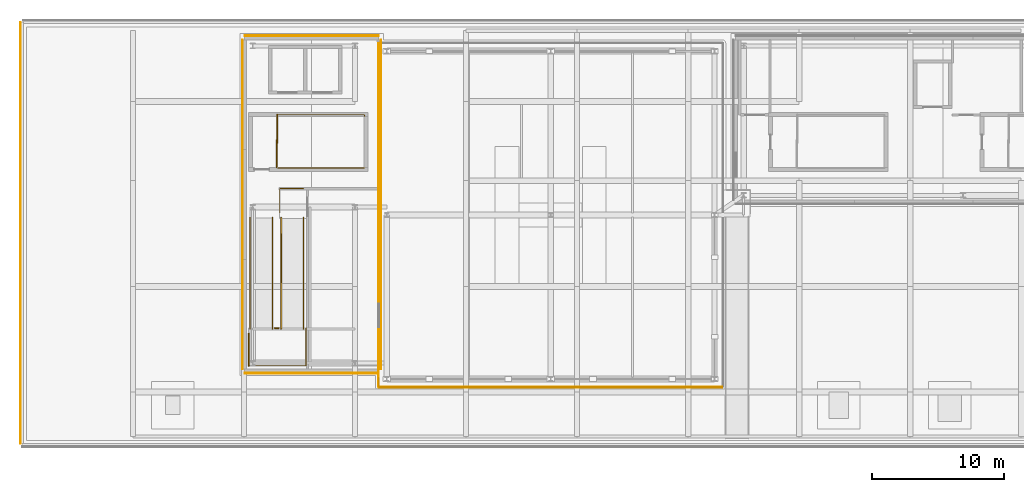
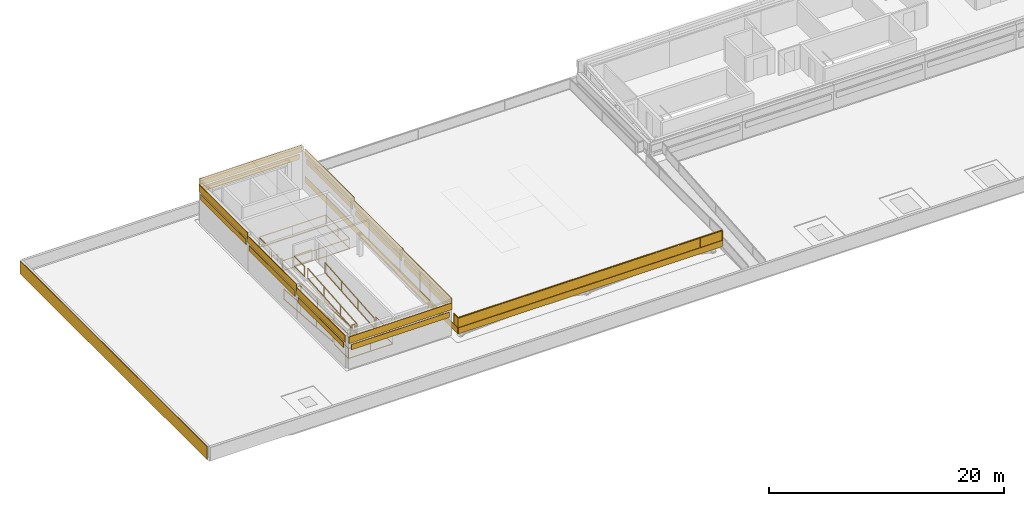
# One storey, part 12 of 14: 12 railings, 11 coverings, 8 shading devices.
"""IFC4 building model written with IfcOpenShell, lengths in metres."""

from ifc_helpers import new_model, si_unit, direction, frame, origin, origin_2d, place, context, subcontext, project, spatial, polyline, rectangle, outline, extrude, material, layer, layer_set, type_object, element, save


model = new_model("IFC4")

# Units and contexts
model_context = context("Model", 3, precision=1e-05, world=origin(), true_north=direction((0.0, 1.0)))
body_context = subcontext(model_context, "Body", "Model", "MODEL_VIEW")
ifc_project = project(units=[si_unit("LENGTHUNIT", "METRE"), si_unit("AREAUNIT", "SQUARE_METRE"), si_unit("VOLUMEUNIT", "CUBIC_METRE"), si_unit("PLANEANGLEUNIT", "RADIAN"), si_unit("MASSUNIT", "GRAM", prefix="KILO")], contexts=[model_context])

# Site, building, storey
site_placement = place(None, origin())
site = spatial("IfcSite", under=ifc_project, at=site_placement, CompositionType="ELEMENT")
building_placement = place(site_placement, origin())
building = spatial("IfcBuilding", under=site, at=building_placement, Name="Selatvlak General Hospital", CompositionType="ELEMENT")
storey_placement = place(building_placement, frame((0.0, 0.0, 39.449951171875)))
storey = spatial("IfcBuildingStorey", under=building, at=storey_placement, Name="RF", CompositionType="ELEMENT", Elevation=39.449951171875)

# Coverings
ifc_material_1 = material(Name="White Bauhaus fair-faced cladding panel")
ifc_layer_1 = layer(ifc_material_1, 0.054931640625, Name="White Bauhaus fair-faced cladding panel")
ifc_layer_set_1 = layer_set([ifc_layer_1], Name="White Bauhaus fair-faced cladding panel")
covering_type = type_object("IfcCoveringType", Name="COV-WHT1", PredefinedType="CLADDING", material=ifc_layer_set_1)
for number, where, z_axis, x_axis, name in (
    (1, (71.199951171875, 92.3701171875, 0.85009765625), (0.0, 0.0, 1.0), (1.0, 0.0, 0.0), "RF Helipad perimeter fascia 0585"),
    (2, (58.169921875, 105.39990234375, 0.85009765625), (0.0, 0.0, 1.0), (0.0, -1.0, 0.0), "RF Helipad perimeter fascia 0588"),
):
    element("IfcCovering", number, at=place(storey_placement, frame(where, z_axis=z_axis, x_axis=x_axis)), inside=storey, type_object=covering_type, Name=name, PredefinedType="CLADDING", context=body_context, shape_type="SweptSolid", body=[
        extrude(rectangle(XDim=26.0, YDim=0.054931640625, at=origin_2d()), origin(), (0.0, 0.0, 1.0), 0.6298828125),
    ])
covering_1_placement = place(storey_placement, frame((53.1201171875, 93.43505859375, 2.740234375), z_axis=(0.0, 0.0, 1.0), x_axis=(1.0, 0.0, 0.0)))
element("IfcCovering", 3, at=covering_1_placement, inside=storey, type_object=covering_type, Name="RF RF penthouse white crown fascia 0589", PredefinedType="CLADDING", context=body_context, shape_type="SweptSolid", body=[
    extrude(rectangle(XDim=10.139892578125, YDim=0.054931640625, at=origin_2d()), origin(), (0.0, 0.0, 1.0), 0.699951171875),
])
covering_2_placement = place(storey_placement, frame((58.35498046875, 97.89404296875, 2.97021484375), z_axis=(0.0, 0.0, 1.0), x_axis=(0.0, 1.0, 0.0)))
element("IfcCovering", 4, at=covering_2_placement, inside=storey, type_object=covering_type, Name="RF RF penthouse white crown fascia 0590", PredefinedType="CLADDING", context=body_context, shape_type="SweptSolid", body=[
    extrude(rectangle(XDim=8.304931640625, YDim=0.054931640625, at=origin_2d()), origin(), (0.0, 0.0, 1.0), 0.699951171875),
])
covering_3_placement = place(storey_placement, frame((58.35498046875, 106.199951171875, 3.06298828125), z_axis=(0.0, 0.0, 1.0), x_axis=(0.0, 1.0, 0.0)))
element("IfcCovering", 5, at=covering_3_placement, inside=storey, type_object=covering_type, Name="RF RF penthouse white crown fascia 0591", PredefinedType="CLADDING", context=body_context, shape_type="SweptSolid", body=[
    extrude(rectangle(XDim=8.305908203125, YDim=0.054931640625, at=origin_2d()), origin(), (0.0, 0.0, 1.0), 0.699951171875),
])
covering_4_placement = place(storey_placement, frame((58.35498046875, 114.5048828125, 3.376953125), z_axis=(0.0, 0.0, 1.0), x_axis=(0.0, 1.0, 0.0)))
element("IfcCovering", 6, at=covering_4_placement, inside=storey, type_object=covering_type, Name="RF RF penthouse white crown fascia 0592", PredefinedType="CLADDING", context=body_context, shape_type="SweptSolid", body=[
    extrude(rectangle(XDim=8.304931640625, YDim=0.054931640625, at=origin_2d()), origin(), (0.0, 0.0, 1.0), 0.699951171875),
])
covering_5_placement = place(storey_placement, frame((53.1201171875, 118.965087890625, 3.68994140625), z_axis=(0.0, 0.0, 1.0), x_axis=(-1.0, 0.0, 0.0)))
element("IfcCovering", 7, at=covering_5_placement, inside=storey, type_object=covering_type, Name="RF RF penthouse white crown fascia 0593", PredefinedType="CLADDING", context=body_context, shape_type="SweptSolid", body=[
    extrude(rectangle(XDim=10.139892578125, YDim=0.054931640625, at=origin_2d()), origin(), (0.0, 0.0, 1.0), 0.699951171875),
])
covering_6_placement = place(storey_placement, frame((47.885009765625, 114.5048828125, 3.376953125), z_axis=(0.0, 0.0, 1.0), x_axis=(0.0, -1.0, 0.0)))
element("IfcCovering", 8, at=covering_6_placement, inside=storey, type_object=covering_type, Name="RF RF penthouse white crown fascia 0594", PredefinedType="CLADDING", context=body_context, shape_type="SweptSolid", body=[
    extrude(rectangle(XDim=8.304931640625, YDim=0.054931640625, at=origin_2d()), origin(), (0.0, 0.0, 1.0), 0.699951171875),
])
covering_7_placement = place(storey_placement, frame((47.885009765625, 106.199951171875, 3.06298828125), z_axis=(0.0, 0.0, 1.0), x_axis=(0.0, -1.0, 0.0)))
element("IfcCovering", 9, at=covering_7_placement, inside=storey, type_object=covering_type, Name="RF RF penthouse white crown fascia 0595", PredefinedType="CLADDING", context=body_context, shape_type="SweptSolid", body=[
    extrude(rectangle(XDim=8.305908203125, YDim=0.054931640625, at=origin_2d()), origin(), (0.0, 0.0, 1.0), 0.699951171875),
])
covering_8_placement = place(storey_placement, frame((47.885009765625, 97.89404296875, 2.75), z_axis=(0.0, 0.0, 1.0), x_axis=(0.0, -1.0, 0.0)))
element("IfcCovering", 10, at=covering_8_placement, inside=storey, type_object=covering_type, Name="RF RF penthouse white crown fascia 0596", PredefinedType="CLADDING", context=body_context, shape_type="SweptSolid", body=[
    extrude(rectangle(XDim=8.304931640625, YDim=0.054931640625, at=origin_2d()), origin(), (0.0, 0.0, 1.0), 0.699951171875),
])
covering_9_placement = place(storey_placement, frame((31.074951171875, 104.05908203125, -0.169921875), z_axis=(0.0, 0.0, 1.0), x_axis=(0.0, 1.0, 0.0)))
element("IfcCovering", 11, at=covering_9_placement, inside=storey, type_object=covering_type, Name="RF Roof parapet white Bauhaus coping 0653", PredefinedType="CLADDING", context=body_context, shape_type="SweptSolid", body=[
    extrude(rectangle(XDim=31.882080078125, YDim=0.054931640625, at=origin_2d()), origin(), (0.0, 0.0, 1.0), 1.3701171875),
])

# Railings
ifc_material_2 = material(Name="Stainless steel 316 perimeter guardrail", Category="steel")
railing_type_1 = type_object("IfcRailingType", Name="RAIL-GRD1", PredefinedType="GUARDRAIL", material=ifc_material_2)
railing_1_placement = place(storey_placement, frame((58.199951171875, 93.1201171875, 1.400146484375)))
element("IfcRailing", 12, at=railing_1_placement, inside=storey, type_object=railing_type_1, Name="RF continuous terrace guardrail 0042", PredefinedType="GUARDRAIL", context=body_context, shape_type="SweptSolid", body=[
    extrude(rectangle(XDim=0.068115234375, YDim=0.068115234375, at=origin_2d()), frame((0.0, -0.0029296875, 1.11572265625), z_axis=(0.0, -1.0, 0.0), x_axis=(1.0, 0.0, 0.0)), (0.0, 0.0, 1.0), 0.71435546875),
    extrude(rectangle(XDim=0.068115234375, YDim=0.068115234375, at=origin_2d()), frame((0.0, -0.0029296875, 0.049072265625), z_axis=(0.0, -1.0, 0.0), x_axis=(1.0, 0.0, 0.0)), (0.0, 0.0, 1.0), 0.71435546875),
    extrude(outline(polyline([(0.0, 0.0), (0.708251953125, 0.0), (0.708251953125, 0.9716796875), (0.0, 0.9716796875), (0.0, 0.0)])), frame((0.01806640625, -0.006103515625, 0.0849609375), z_axis=(-1.0, 0.0, 0.0), x_axis=(0.0, -1.0, 0.0)), (0.0, 0.0, 1.0), 0.031982421875),
    extrude(rectangle(XDim=0.068115234375, YDim=0.068115234375, at=origin_2d()), frame((0.0029296875, -0.72021484375, 1.11572265625), z_axis=(1.0, 0.0, 0.0), x_axis=(0.0, 1.0, 0.0)), (0.0, 0.0, 1.0), 25.994140625),
    extrude(rectangle(XDim=0.068115234375, YDim=0.068115234375, at=origin_2d()), frame((0.0029296875, -0.72021484375, 0.049072265625), z_axis=(1.0, 0.0, 0.0), x_axis=(0.0, 1.0, 0.0)), (0.0, 0.0, 1.0), 25.994140625),
    extrude(outline(polyline([(0.0, 0.0), (25.988037109375, 0.0), (25.988037109375, 0.9716796875), (0.0, 0.9716796875), (0.0, 0.0)])), frame((0.006103515625, -0.7021484375, 0.0849609375), z_axis=(0.0, -1.0, 0.0), x_axis=(1.0, 0.0, 0.0)), (0.0, 0.0, 1.0), 0.031982421875),
    extrude(rectangle(XDim=0.055908203125, YDim=0.055908203125, at=origin_2d()), origin(), (0.0, 0.0, 1.0), 1.078857421875),
    extrude(rectangle(XDim=0.055908203125, YDim=0.055908203125, at=origin_2d()), frame((0.0, -0.72021484375, 0.0)), (0.0, 0.0, 1.0), 1.078857421875),
    extrude(rectangle(XDim=0.055908203125, YDim=0.055908203125, at=origin_2d()), frame((2.166748046875, -0.72021484375, 0.0)), (0.0, 0.0, 1.0), 1.078857421875),
    extrude(rectangle(XDim=0.055908203125, YDim=0.055908203125, at=origin_2d()), frame((4.333251953125, -0.72021484375, 0.0)), (0.0, 0.0, 1.0), 1.078857421875),
    extrude(rectangle(XDim=0.055908203125, YDim=0.055908203125, at=origin_2d()), frame((6.5, -0.72021484375, 0.0)), (0.0, 0.0, 1.0), 1.078857421875),
    extrude(rectangle(XDim=0.055908203125, YDim=0.055908203125, at=origin_2d()), frame((8.666748046875, -0.72021484375, 0.0)), (0.0, 0.0, 1.0), 1.078857421875),
    extrude(rectangle(XDim=0.055908203125, YDim=0.055908203125, at=origin_2d()), frame((10.833251953125, -0.72021484375, 0.0)), (0.0, 0.0, 1.0), 1.078857421875),
    extrude(rectangle(XDim=0.055908203125, YDim=0.055908203125, at=origin_2d()), frame((13.0, -0.72021484375, 0.0)), (0.0, 0.0, 1.0), 1.078857421875),
    extrude(rectangle(XDim=0.055908203125, YDim=0.055908203125, at=origin_2d()), frame((15.166748046875, -0.72021484375, 0.0)), (0.0, 0.0, 1.0), 1.078857421875),
    extrude(rectangle(XDim=0.055908203125, YDim=0.055908203125, at=origin_2d()), frame((17.333251953125, -0.72021484375, 0.0)), (0.0, 0.0, 1.0), 1.078857421875),
    extrude(rectangle(XDim=0.055908203125, YDim=0.055908203125, at=origin_2d()), frame((19.5, -0.72021484375, 0.0)), (0.0, 0.0, 1.0), 1.078857421875),
    extrude(rectangle(XDim=0.055908203125, YDim=0.055908203125, at=origin_2d()), frame((21.666748046875, -0.72021484375, 0.0)), (0.0, 0.0, 1.0), 1.078857421875),
    extrude(rectangle(XDim=0.055908203125, YDim=0.055908203125, at=origin_2d()), frame((23.833251953125, -0.72021484375, 0.0)), (0.0, 0.0, 1.0), 1.078857421875),
    extrude(rectangle(XDim=0.055908203125, YDim=0.055908203125, at=origin_2d()), frame((26.0, -0.72021484375, 0.0)), (0.0, 0.0, 1.0), 1.078857421875),
])
ifc_material_3 = material(Name="Stainless steel 316 stair guard", Category="steel")
railing_type_2 = type_object("IfcRailingType", Name="RAIL-STG", PredefinedType="GUARDRAIL", material=ifc_material_3)
railing_2_placement = place(storey_placement, frame((50.4599609375, 109.0, 0.0)))
element("IfcRailing", 13, at=railing_2_placement, inside=storey, type_object=railing_type_2, Name="RF ST-01 top well guard 1", PredefinedType="GUARDRAIL", context=body_context, shape_type="SweptSolid", body=[
    extrude(rectangle(XDim=0.068115234375, YDim=0.068115234375, at=origin_2d()), frame((0.0, 0.0029296875, 1.11572265625), z_axis=(0.0, 1.0, 0.0), x_axis=(-1.0, 0.0, 0.0)), (0.0, 0.0, 1.0), 2.07421875),
    extrude(rectangle(XDim=0.068115234375, YDim=0.068115234375, at=origin_2d()), frame((0.0, 0.0029296875, 0.049072265625), z_axis=(0.0, 1.0, 0.0), x_axis=(-1.0, 0.0, 0.0)), (0.0, 0.0, 1.0), 2.07421875),
    extrude(rectangle(XDim=0.055908203125, YDim=0.055908203125, at=origin_2d()), origin(), (0.0, 0.0, 1.0), 1.078857421875),
    extrude(rectangle(XDim=0.055908203125, YDim=0.055908203125, at=origin_2d()), frame((0.0, 2.080078125, 0.0)), (0.0, 0.0, 1.0), 1.078857421875),
])
railing_3_placement = place(storey_placement, frame((50.554931640625, 112.989990234375, 0.0)))
element("IfcRailing", 14, at=railing_3_placement, inside=storey, type_object=railing_type_2, Name="ST-01 top landing well guard on RF", PredefinedType="GUARDRAIL", context=body_context, shape_type="SweptSolid", body=[
    extrude(rectangle(XDim=0.068115234375, YDim=0.068115234375, at=origin_2d()), frame((0.0029296875, 0.0, 1.0859375), z_axis=(1.0, 0.0, 0.0), x_axis=(0.0, 1.0, 0.0)), (0.0, 0.0, 1.0), 6.539306640625),
    extrude(rectangle(XDim=0.068115234375, YDim=0.068115234375, at=origin_2d()), frame((0.0029296875, 0.0, 0.049072265625), z_axis=(1.0, 0.0, 0.0), x_axis=(0.0, 1.0, 0.0)), (0.0, 0.0, 1.0), 6.539306640625),
    extrude(rectangle(XDim=0.068115234375, YDim=0.068115234375, at=origin_2d()), frame((6.545166015625, -0.0029296875, 1.0859375), z_axis=(0.0, -1.0, 0.0), x_axis=(1.0, 0.0, 0.0)), (0.0, 0.0, 1.0), 4.0341796875),
    extrude(rectangle(XDim=0.068115234375, YDim=0.068115234375, at=origin_2d()), frame((6.545166015625, -0.0029296875, 0.049072265625), z_axis=(0.0, -1.0, 0.0), x_axis=(1.0, 0.0, 0.0)), (0.0, 0.0, 1.0), 4.0341796875),
    extrude(rectangle(XDim=0.068115234375, YDim=0.068115234375, at=origin_2d()), frame((6.542236328125, -4.0400390625, 1.0859375), z_axis=(-1.0, 0.0, 0.0), x_axis=(0.0, -1.0, 0.0)), (0.0, 0.0, 1.0), 6.539306640625),
    extrude(rectangle(XDim=0.068115234375, YDim=0.068115234375, at=origin_2d()), frame((6.542236328125, -4.0400390625, 0.049072265625), z_axis=(-1.0, 0.0, 0.0), x_axis=(0.0, -1.0, 0.0)), (0.0, 0.0, 1.0), 6.539306640625),
    extrude(rectangle(XDim=0.055908203125, YDim=0.055908203125, at=origin_2d()), origin(), (0.0, 0.0, 1.0), 1.049072265625),
    extrude(rectangle(XDim=0.055908203125, YDim=0.055908203125, at=origin_2d()), frame((3.2724609375, 0.0, 0.0)), (0.0, 0.0, 1.0), 1.049072265625),
    extrude(rectangle(XDim=0.055908203125, YDim=0.055908203125, at=origin_2d()), frame((6.545166015625, 0.0, 0.0)), (0.0, 0.0, 1.0), 1.049072265625),
    extrude(rectangle(XDim=0.055908203125, YDim=0.055908203125, at=origin_2d()), frame((6.545166015625, -2.02001953125, 0.0)), (0.0, 0.0, 1.0), 1.049072265625),
    extrude(rectangle(XDim=0.055908203125, YDim=0.055908203125, at=origin_2d()), frame((6.545166015625, -4.0400390625, 0.0)), (0.0, 0.0, 1.0), 1.049072265625),
    extrude(rectangle(XDim=0.055908203125, YDim=0.055908203125, at=origin_2d()), frame((3.2724609375, -4.0400390625, 0.0)), (0.0, 0.0, 1.0), 1.049072265625),
    extrude(rectangle(XDim=0.055908203125, YDim=0.055908203125, at=origin_2d()), frame((0.0, -4.0400390625, 0.0)), (0.0, 0.0, 1.0), 1.049072265625),
])
railing_4_placement = place(storey_placement, frame((50.5048828125, 110.860107421875, 0.0)))
element("IfcRailing", 15, at=railing_4_placement, inside=storey, type_object=railing_type_2, Name="ST-01 top landing west slot guard on RF", PredefinedType="GUARDRAIL", context=body_context, shape_type="SweptSolid", body=[
    extrude(rectangle(XDim=0.068115234375, YDim=0.068115234375, at=origin_2d()), frame((0.0, 0.0029296875, 1.0859375), z_axis=(0.0, 1.0, 0.0), x_axis=(-1.0, 0.0, 0.0)), (0.0, 0.0, 1.0), 2.1240234375),
    extrude(rectangle(XDim=0.068115234375, YDim=0.068115234375, at=origin_2d()), frame((0.0, 0.0029296875, 0.049072265625), z_axis=(0.0, 1.0, 0.0), x_axis=(-1.0, 0.0, 0.0)), (0.0, 0.0, 1.0), 2.1240234375),
    extrude(rectangle(XDim=0.055908203125, YDim=0.055908203125, at=origin_2d()), origin(), (0.0, 0.0, 1.0), 1.049072265625),
    extrude(rectangle(XDim=0.055908203125, YDim=0.055908203125, at=origin_2d()), frame((0.0, 2.1298828125, 0.0)), (0.0, 0.0, 1.0), 1.049072265625),
])
for number, where, name in (
    (16, (48.449951171875, 105.199951171875, 0.050048828125), "Accessible ramp RMP-HLP-W1 side guard R"),
    (17, (50.14990234375, 105.199951171875, 0.050048828125), "Accessible ramp RMP-HLP-W1 side guard L"),
):
    element("IfcRailing", number, at=place(storey_placement, frame(where)), inside=storey, type_object=railing_type_2, Name=name, PredefinedType="GUARDRAIL", context=body_context, shape_type="SweptSolid", body=[
        extrude(rectangle(XDim=0.068115234375, YDim=0.068115234375, at=origin_2d()), frame((0.0, -0.0029296875, 1.086181640625), z_axis=(0.0, -0.997020295126, 0.077139685683), x_axis=(1.0, 0.0, 0.0)), (0.0, 0.0, 1.0), 8.419189453125),
        extrude(rectangle(XDim=0.068115234375, YDim=0.068115234375, at=origin_2d()), frame((0.0, -0.0029296875, 0.04931640625), z_axis=(0.0, -0.997020295126, 0.077139685683), x_axis=(1.0, 0.0, 0.0)), (0.0, 0.0, 1.0), 8.419189453125),
        extrude(rectangle(XDim=0.055908203125, YDim=0.055908203125, at=origin_2d()), origin(), (0.0, 0.0, 1.0), 1.049072265625),
        extrude(rectangle(XDim=0.055908203125, YDim=0.055908203125, at=origin_2d()), frame((0.0, -2.800048828125, 0.216552734375)), (0.0, 0.0, 1.0), 1.049072265625),
        extrude(rectangle(XDim=0.055908203125, YDim=0.055908203125, at=origin_2d()), frame((0.0, -5.599853515625, 0.433349609375)), (0.0, 0.0, 1.0), 1.049072265625),
        extrude(rectangle(XDim=0.055908203125, YDim=0.055908203125, at=origin_2d()), frame((0.0, -8.39990234375, 0.64990234375)), (0.0, 0.0, 1.0), 1.049072265625),
    ])
for number, where, name in (
    (18, (52.5, 96.800048828125, 0.699951171875), "Accessible ramp RMP-HLP-W2 side guard R"),
    (19, (50.800048828125, 96.800048828125, 0.699951171875), "Accessible ramp RMP-HLP-W2 side guard L"),
):
    element("IfcRailing", number, at=place(storey_placement, frame(where)), inside=storey, type_object=railing_type_2, Name=name, PredefinedType="GUARDRAIL", context=body_context, shape_type="SweptSolid", body=[
        extrude(rectangle(XDim=0.068115234375, YDim=0.068115234375, at=origin_2d()), frame((0.0, 0.0029296875, 1.086181640625), z_axis=(0.0, 0.996543760423, 0.083069450238), x_axis=(-1.0, 0.0, 0.0)), (0.0, 0.0, 1.0), 8.423095703125),
        extrude(rectangle(XDim=0.068115234375, YDim=0.068115234375, at=origin_2d()), frame((0.0, 0.0029296875, 0.04931640625), z_axis=(0.0, 0.996543760423, 0.083069450238), x_axis=(-1.0, 0.0, 0.0)), (0.0, 0.0, 1.0), 8.423095703125),
        extrude(rectangle(XDim=0.055908203125, YDim=0.055908203125, at=origin_2d()), origin(), (0.0, 0.0, 1.0), 1.049072265625),
        extrude(rectangle(XDim=0.055908203125, YDim=0.055908203125, at=origin_2d()), frame((0.0, 2.800048828125, 0.2333984375)), (0.0, 0.0, 1.0), 1.049072265625),
        extrude(rectangle(XDim=0.055908203125, YDim=0.055908203125, at=origin_2d()), frame((0.0, 5.599853515625, 0.466796875)), (0.0, 0.0, 1.0), 1.049072265625),
        extrude(rectangle(XDim=0.055908203125, YDim=0.055908203125, at=origin_2d()), frame((0.0, 8.39990234375, 0.7001953125)), (0.0, 0.0, 1.0), 1.049072265625),
    ])
railing_5_placement = place(storey_placement, frame((48.35009765625, 94.0, 0.699951171875)))
element("IfcRailing", 20, at=railing_5_placement, inside=storey, type_object=railing_type_2, Name="Accessible landing guard SL-HLPLND-W1-1", PredefinedType="GUARDRAIL", context=body_context, shape_type="SweptSolid", body=[
    extrude(rectangle(XDim=0.068115234375, YDim=0.068115234375, at=origin_2d()), frame((0.0029296875, 0.0, 1.0859375), z_axis=(1.0, 0.0, 0.0), x_axis=(0.0, 1.0, 0.0)), (0.0, 0.0, 1.0), 4.343994140625),
    extrude(rectangle(XDim=0.068115234375, YDim=0.068115234375, at=origin_2d()), frame((0.0029296875, 0.0, 0.049072265625), z_axis=(1.0, 0.0, 0.0), x_axis=(0.0, 1.0, 0.0)), (0.0, 0.0, 1.0), 4.343994140625),
    extrude(rectangle(XDim=0.068115234375, YDim=0.068115234375, at=origin_2d()), frame((4.349853515625, 0.0029296875, 1.0859375), z_axis=(0.0, 1.0, 0.0), x_axis=(-1.0, 0.0, 0.0)), (0.0, 0.0, 1.0), 2.84423828125),
    extrude(rectangle(XDim=0.068115234375, YDim=0.068115234375, at=origin_2d()), frame((4.349853515625, 0.0029296875, 0.049072265625), z_axis=(0.0, 1.0, 0.0), x_axis=(-1.0, 0.0, 0.0)), (0.0, 0.0, 1.0), 2.84423828125),
    extrude(rectangle(XDim=0.068115234375, YDim=0.068115234375, at=origin_2d()), frame((4.346923828125, 2.85009765625, 1.0859375), z_axis=(-1.0, 0.0, 0.0), x_axis=(0.0, -1.0, 0.0)), (0.0, 0.0, 1.0), 0.026123046875),
    extrude(rectangle(XDim=0.068115234375, YDim=0.068115234375, at=origin_2d()), frame((4.346923828125, 2.85009765625, 0.049072265625), z_axis=(-1.0, 0.0, 0.0), x_axis=(0.0, -1.0, 0.0)), (0.0, 0.0, 1.0), 0.026123046875),
    extrude(rectangle(XDim=0.055908203125, YDim=0.055908203125, at=origin_2d()), origin(), (0.0, 0.0, 1.0), 1.049072265625),
    extrude(rectangle(XDim=0.055908203125, YDim=0.055908203125, at=origin_2d()), frame((2.1748046875, 0.0, 0.0)), (0.0, 0.0, 1.0), 1.049072265625),
    extrude(rectangle(XDim=0.055908203125, YDim=0.055908203125, at=origin_2d()), frame((4.349853515625, 0.0, 0.0)), (0.0, 0.0, 1.0), 1.049072265625),
    extrude(rectangle(XDim=0.055908203125, YDim=0.055908203125, at=origin_2d()), frame((4.349853515625, 2.85009765625, 0.0)), (0.0, 0.0, 1.0), 1.049072265625),
])
railing_6_placement = place(storey_placement, frame((50.632080078125, 96.85009765625, 0.699951171875)))
element("IfcRailing", 21, at=railing_6_placement, inside=storey, type_object=railing_type_2, Name="Accessible landing guard SL-HLPLND-W1-2", PredefinedType="GUARDRAIL", context=body_context, shape_type="SweptSolid", body=[
    extrude(rectangle(XDim=0.068115234375, YDim=0.068115234375, at=origin_2d()), frame((-0.0029296875, 0.0, 1.0859375), z_axis=(-1.0, 0.0, 0.0), x_axis=(0.0, -1.0, 0.0)), (0.0, 0.0, 1.0), 0.30810546875),
    extrude(rectangle(XDim=0.068115234375, YDim=0.068115234375, at=origin_2d()), frame((-0.0029296875, 0.0, 0.049072265625), z_axis=(-1.0, 0.0, 0.0), x_axis=(0.0, -1.0, 0.0)), (0.0, 0.0, 1.0), 0.30810546875),
    extrude(rectangle(XDim=0.055908203125, YDim=0.055908203125, at=origin_2d()), origin(), (0.0, 0.0, 1.0), 1.049072265625),
    extrude(rectangle(XDim=0.055908203125, YDim=0.055908203125, at=origin_2d()), frame((-0.31396484375, 0.0, 0.0)), (0.0, 0.0, 1.0), 1.049072265625),
])
railing_7_placement = place(storey_placement, frame((48.35009765625, 96.430908203125, 0.699951171875)))
element("IfcRailing", 22, at=railing_7_placement, inside=storey, type_object=railing_type_2, Name="Accessible landing guard SL-HLPLND-W1-3", PredefinedType="GUARDRAIL", context=body_context, shape_type="SweptSolid", body=[
    extrude(rectangle(XDim=0.068115234375, YDim=0.068115234375, at=origin_2d()), frame((0.0, -0.0029296875, 1.0859375), z_axis=(0.0, -1.0, 0.0), x_axis=(1.0, 0.0, 0.0)), (0.0, 0.0, 1.0), 2.425048828125),
    extrude(rectangle(XDim=0.068115234375, YDim=0.068115234375, at=origin_2d()), frame((0.0, -0.0029296875, 0.049072265625), z_axis=(0.0, -1.0, 0.0), x_axis=(1.0, 0.0, 0.0)), (0.0, 0.0, 1.0), 2.425048828125),
    extrude(rectangle(XDim=0.055908203125, YDim=0.055908203125, at=origin_2d()), origin(), (0.0, 0.0, 1.0), 1.049072265625),
    extrude(rectangle(XDim=0.055908203125, YDim=0.055908203125, at=origin_2d()), frame((0.0, -2.430908203125, 0.0)), (0.0, 0.0, 1.0), 1.049072265625),
])
railing_8_placement = place(storey_placement, frame((52.5, 107.39990234375, 1.400146484375)))
element("IfcRailing", 23, at=railing_8_placement, inside=storey, type_object=railing_type_2, Name="Accessible landing guard SL-HLPLND-W2-1", PredefinedType="GUARDRAIL", context=body_context, shape_type="SweptSolid", body=[
    extrude(rectangle(XDim=0.068115234375, YDim=0.068115234375, at=origin_2d()), frame((-0.0029296875, 0.0, 1.0859375), z_axis=(-1.0, 0.0, 0.0), x_axis=(0.0, -1.0, 0.0)), (0.0, 0.0, 1.0), 1.794189453125),
    extrude(rectangle(XDim=0.068115234375, YDim=0.068115234375, at=origin_2d()), frame((-0.0029296875, 0.0, 0.049072265625), z_axis=(-1.0, 0.0, 0.0), x_axis=(0.0, -1.0, 0.0)), (0.0, 0.0, 1.0), 1.794189453125),
    extrude(rectangle(XDim=0.068115234375, YDim=0.068115234375, at=origin_2d()), frame((-1.800048828125, -0.0029296875, 1.0859375), z_axis=(0.0, -1.0, 0.0), x_axis=(1.0, 0.0, 0.0)), (0.0, 0.0, 1.0), 1.824951171875),
    extrude(rectangle(XDim=0.068115234375, YDim=0.068115234375, at=origin_2d()), frame((-1.800048828125, -0.0029296875, 0.049072265625), z_axis=(0.0, -1.0, 0.0), x_axis=(1.0, 0.0, 0.0)), (0.0, 0.0, 1.0), 1.824951171875),
    extrude(rectangle(XDim=0.055908203125, YDim=0.055908203125, at=origin_2d()), origin(), (0.0, 0.0, 1.0), 1.049072265625),
    extrude(rectangle(XDim=0.055908203125, YDim=0.055908203125, at=origin_2d()), frame((-1.800048828125, 0.0, 0.0)), (0.0, 0.0, 1.0), 1.049072265625),
    extrude(rectangle(XDim=0.055908203125, YDim=0.055908203125, at=origin_2d()), frame((-1.800048828125, -1.830810546875, 0.0)), (0.0, 0.0, 1.0), 1.049072265625),
])

# Shading devices
ifc_material_4 = material(Name="Anodised aluminium acoustic louvre", Category="aluminium")
ifc_layer_2 = layer(ifc_material_4, 0.050048828125, Name="Anodised aluminium acoustic louvre", Category="aluminium")
ifc_layer_set_2 = layer_set([ifc_layer_2], Name="Anodised aluminium acoustic louvre")
shading_device_type = type_object("IfcShadingDeviceType", Name="SHD-JAL1", PredefinedType="JALOUSIE", material=ifc_layer_set_2)
shading_device_1_placement = place(storey_placement, frame((53.1201171875, 93.43505859375, 2.01513671875), z_axis=(0.0, 0.0, 1.0), x_axis=(1.0, 0.0, 0.0)))
element("IfcShadingDevice", 24, at=shading_device_1_placement, inside=storey, type_object=shading_device_type, Name="RF penthouse acoustic louvre EW-RF-PENT-W-S1", PredefinedType="JALOUSIE", context=body_context, shape_type="SweptSolid", body=[
    extrude(rectangle(XDim=9.639892578125, YDim=0.050048828125, at=origin_2d()), origin(), (0.0, 0.0, 1.0), 0.550048828125),
])
shading_device_2_placement = place(storey_placement, frame((58.35498046875, 97.89404296875, 2.2451171875), z_axis=(0.0, 0.0, 1.0), x_axis=(0.0, 1.0, 0.0)))
element("IfcShadingDevice", 25, at=shading_device_2_placement, inside=storey, type_object=shading_device_type, Name="RF penthouse acoustic louvre EW-RF-PENT-W-E1", PredefinedType="JALOUSIE", context=body_context, shape_type="SweptSolid", body=[
    extrude(rectangle(XDim=7.804931640625, YDim=0.050048828125, at=origin_2d()), origin(), (0.0, 0.0, 1.0), 0.550048828125),
])
shading_device_3_placement = place(storey_placement, frame((58.35498046875, 106.199951171875, 2.337890625), z_axis=(0.0, 0.0, 1.0), x_axis=(0.0, 1.0, 0.0)))
element("IfcShadingDevice", 26, at=shading_device_3_placement, inside=storey, type_object=shading_device_type, Name="RF penthouse acoustic louvre EW-RF-PENT-W-E2", PredefinedType="JALOUSIE", context=body_context, shape_type="SweptSolid", body=[
    extrude(rectangle(XDim=7.805908203125, YDim=0.050048828125, at=origin_2d()), origin(), (0.0, 0.0, 1.0), 0.550048828125),
])
shading_device_4_placement = place(storey_placement, frame((58.35498046875, 114.5048828125, 2.65185546875), z_axis=(0.0, 0.0, 1.0), x_axis=(0.0, 1.0, 0.0)))
element("IfcShadingDevice", 27, at=shading_device_4_placement, inside=storey, type_object=shading_device_type, Name="RF penthouse acoustic louvre EW-RF-PENT-W-E3", PredefinedType="JALOUSIE", context=body_context, shape_type="SweptSolid", body=[
    extrude(rectangle(XDim=7.804931640625, YDim=0.050048828125, at=origin_2d()), origin(), (0.0, 0.0, 1.0), 0.550048828125),
])
shading_device_5_placement = place(storey_placement, frame((53.1201171875, 118.965087890625, 2.96484375), z_axis=(0.0, 0.0, 1.0), x_axis=(-1.0, 0.0, 0.0)))
element("IfcShadingDevice", 28, at=shading_device_5_placement, inside=storey, type_object=shading_device_type, Name="RF penthouse acoustic louvre EW-RF-PENT-W-N1", PredefinedType="JALOUSIE", context=body_context, shape_type="SweptSolid", body=[
    extrude(rectangle(XDim=9.639892578125, YDim=0.050048828125, at=origin_2d()), origin(), (0.0, 0.0, 1.0), 0.550048828125),
])
shading_device_6_placement = place(storey_placement, frame((47.885009765625, 114.5048828125, 2.65185546875), z_axis=(0.0, 0.0, 1.0), x_axis=(0.0, -1.0, 0.0)))
element("IfcShadingDevice", 29, at=shading_device_6_placement, inside=storey, type_object=shading_device_type, Name="RF penthouse acoustic louvre EW-RF-PENT-W-W1", PredefinedType="JALOUSIE", context=body_context, shape_type="SweptSolid", body=[
    extrude(rectangle(XDim=7.804931640625, YDim=0.050048828125, at=origin_2d()), origin(), (0.0, 0.0, 1.0), 0.550048828125),
])
shading_device_7_placement = place(storey_placement, frame((47.885009765625, 106.199951171875, 2.337890625), z_axis=(0.0, 0.0, 1.0), x_axis=(0.0, -1.0, 0.0)))
element("IfcShadingDevice", 30, at=shading_device_7_placement, inside=storey, type_object=shading_device_type, Name="RF penthouse acoustic louvre EW-RF-PENT-W-W2", PredefinedType="JALOUSIE", context=body_context, shape_type="SweptSolid", body=[
    extrude(rectangle(XDim=7.805908203125, YDim=0.050048828125, at=origin_2d()), origin(), (0.0, 0.0, 1.0), 0.550048828125),
])
shading_device_8_placement = place(storey_placement, frame((47.885009765625, 97.89404296875, 2.02490234375), z_axis=(0.0, 0.0, 1.0), x_axis=(0.0, -1.0, 0.0)))
element("IfcShadingDevice", 31, at=shading_device_8_placement, inside=storey, type_object=shading_device_type, Name="RF penthouse acoustic louvre EW-RF-PENT-W-W3", PredefinedType="JALOUSIE", context=body_context, shape_type="SweptSolid", body=[
    extrude(rectangle(XDim=7.804931640625, YDim=0.050048828125, at=origin_2d()), origin(), (0.0, 0.0, 1.0), 0.550048828125),
])

save(model, "model.ifc")
